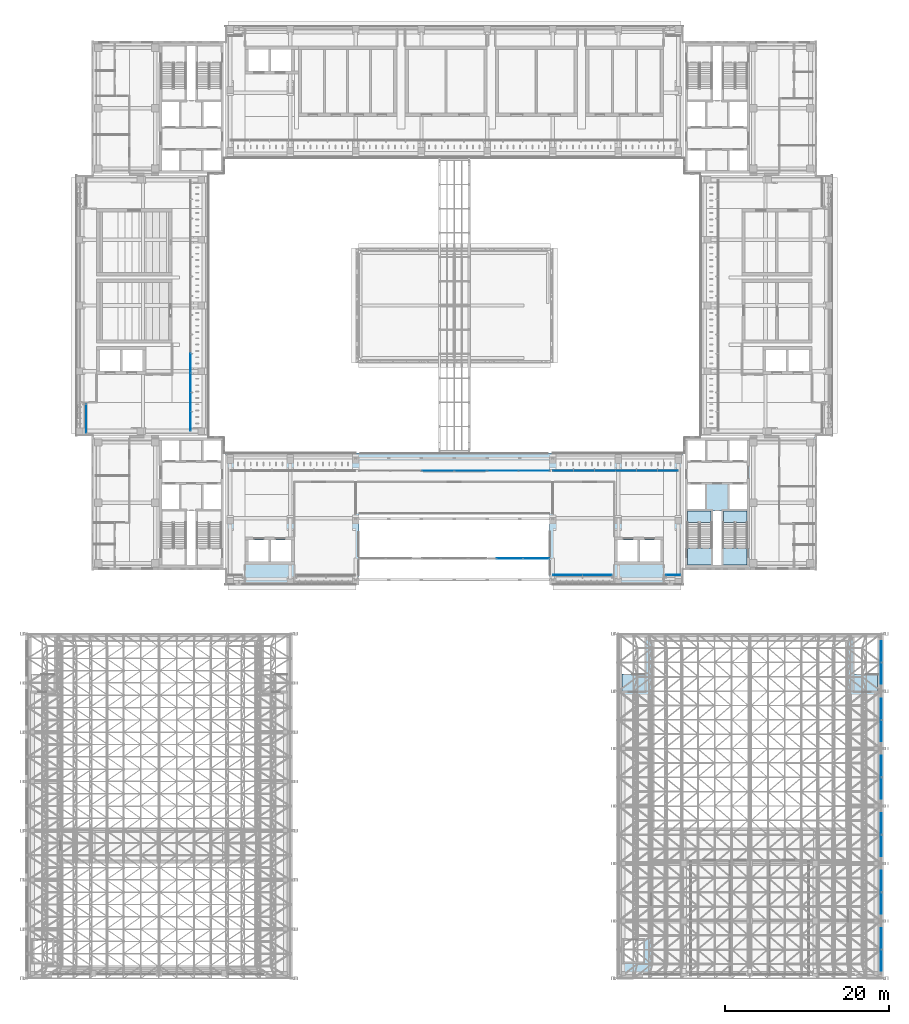
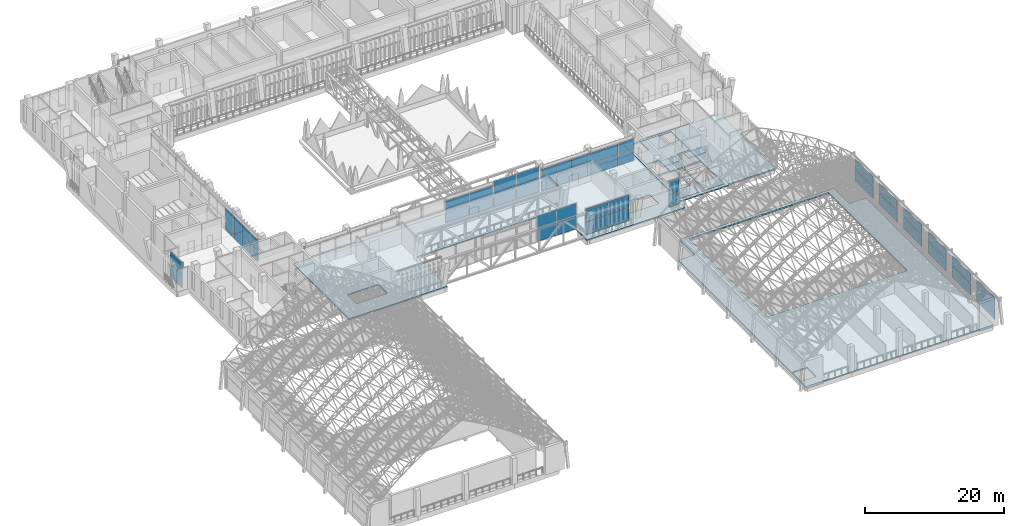
# One storey, part 91 of 141: 52 plates, 6 slabs, 10 elements without a shape of their own.
"""IFC4 building model written with IfcOpenShell, lengths in metres."""

from ifc_helpers import new_model, si_unit, direction, frame, origin, origin_2d, place, context, subcontext, project, spatial, polyline, rectangle, outline, extrude, material, layer, layer_set, type_object, element, aggregate, save


model = new_model("IFC4")

# Units and contexts
model_context = context("Model", 3, precision=1e-05, world=origin(), true_north=direction((0.0, 1.0)))
body_context = subcontext(model_context, "Body", "Model", "MODEL_VIEW")
ifc_project = project(units=[si_unit("LENGTHUNIT", "METRE"), si_unit("AREAUNIT", "SQUARE_METRE"), si_unit("VOLUMEUNIT", "CUBIC_METRE"), si_unit("PLANEANGLEUNIT", "RADIAN"), si_unit("MASSUNIT", "GRAM", prefix="KILO")], contexts=[model_context])

# Site, building, storey
site_placement = place(None, origin())
site = spatial("IfcSite", under=ifc_project, at=site_placement, CompositionType="ELEMENT")
building_placement = place(site_placement, origin())
building = spatial("IfcBuilding", under=site, at=building_placement, Name="Lantern Court Media Centre", CompositionType="ELEMENT")
storey_placement = place(building_placement, frame((0.0, 0.0, 9.60009765625)))
storey = spatial("IfcBuildingStorey", under=building, at=storey_placement, Name="L02", CompositionType="ELEMENT", Elevation=9.60009765625)

# Slab
ifc_material_1 = material(Name="Concrete C40", Category="concrete")
ifc_layer_1 = layer(ifc_material_1, 0.25)
ifc_layer_set_1 = layer_set([ifc_layer_1], Name="Concrete C40")
slab_type_1 = type_object("IfcSlabType", Name="Core floor slab 250", PredefinedType="FLOOR", material=ifc_layer_set_1)
slab_1_placement = place(storey_placement, frame((0.0, 0.0, -0.25)))
element("IfcSlab", 1, at=slab_1_placement, inside=storey, type_object=slab_type_1, Name="L02 SE core floor", PredefinedType="FLOOR", context=body_context, shape_type="SweptSolid", body=[
    extrude(outline(polyline([(87.64990234375, 55.199951171875), (87.64990234375, 54.94970703125), (84.80029296875, 54.94970703125), (84.80029296875, 50.450439453125), (87.64990234375, 50.450439453125), (87.64990234375, 48.35009765625), (84.550048828125, 48.35009765625), (84.550048828125, 54.949951171875), (83.550048828125, 54.949951171875), (83.550048828125, 48.35009765625), (80.449951171875, 48.35009765625), (80.449951171875, 50.450439453125), (83.299560546875, 50.450439453125), (83.299560546875, 54.94970703125), (80.449951171875, 54.94970703125), (80.449951171875, 55.199951171875), (82.550048828125, 55.199951171875), (82.550048828125, 58.199951171875), (80.449951171875, 58.199951171875), (80.449951171875, 61.10009765625), (82.550048828125, 61.10009765625), (82.550048828125, 63.550048828125), (85.550048828125, 63.550048828125), (85.550048828125, 61.10009765625), (87.64990234375, 61.10009765625), (87.64990234375, 58.199951171875), (85.550048828125, 58.199951171875), (85.550048828125, 55.199951171875), (87.64990234375, 55.199951171875)])), origin(), (0.0, 0.0, 1.0), 0.25),
])

# Curtain wall, plates
ifc_material_2 = material(Name="Curtain wall bay 2400")
curtain_wall_type_1 = type_object("IfcCurtainWallType", Name="Curtain wall bay 2400", PredefinedType="NOTDEFINED", material=ifc_material_2)
curtain_wall_1_placement = place(storey_placement, origin())
curtain_wall_1 = element("IfcCurtainWall", 2, at=curtain_wall_1_placement, inside=storey, type_object=curtain_wall_type_1, Name="Curtain wall S inner L02", PredefinedType="NOTDEFINED")
ifc_material_3 = material(Name="Low-iron double glazed unit glass", Category="glass")
ifc_layer_2 = layer(ifc_material_3, 0.02392578125)
ifc_layer_set_2 = layer_set([ifc_layer_2], Name="Low-iron double glazed unit glass")
plate_type_1 = type_object("IfcPlateType", Name="Curtain wall glazing unit 24", PredefinedType="CURTAIN_PANEL", material=ifc_layer_set_2)
plate_1_placement = place(storey_placement, frame((65.28759765625, 59.85009765625, 2.0), z_axis=(0.0, 0.0, 1.0), x_axis=(1.0, 0.0, 0.0)))
plate_1 = element("IfcPlate", 3, at=plate_1_placement, type_object=plate_type_1, Name="CW2 panel 1.2", PredefinedType="CURTAIN_PANEL", context=body_context, shape_type="SweptSolid", body=[
    extrude(rectangle(XDim=2.47509765625, YDim=0.02392578125, at=origin_2d()), origin(), (0.0, 0.0, 1.0), 1.89990234375),
])
plate_2_placement = place(storey_placement, frame((67.824951171875, 59.85009765625, 0.050048828125), z_axis=(0.0, 0.0, 1.0), x_axis=(1.0, 0.0, 0.0)))
plate_2 = element("IfcPlate", 4, at=plate_2_placement, type_object=plate_type_1, Name="CW2 panel 2.1", PredefinedType="CURTAIN_PANEL", context=body_context, shape_type="SweptSolid", body=[
    extrude(rectangle(XDim=2.5, YDim=0.02392578125, at=origin_2d()), origin(), (0.0, 0.0, 1.0), 1.89990234375),
])
plate_3_placement = place(storey_placement, frame((67.824951171875, 59.85009765625, 2.0), z_axis=(0.0, 0.0, 1.0), x_axis=(1.0, 0.0, 0.0)))
plate_3 = element("IfcPlate", 5, at=plate_3_placement, type_object=plate_type_1, Name="CW2 panel 2.2", PredefinedType="CURTAIN_PANEL", context=body_context, shape_type="SweptSolid", body=[
    extrude(rectangle(XDim=2.5, YDim=0.02392578125, at=origin_2d()), origin(), (0.0, 0.0, 1.0), 1.89990234375),
])
plate_4_placement = place(storey_placement, frame((70.375, 59.85009765625, 0.050048828125), z_axis=(0.0, 0.0, 1.0), x_axis=(1.0, 0.0, 0.0)))
plate_4 = element("IfcPlate", 6, at=plate_4_placement, type_object=plate_type_1, Name="CW2 panel 3.1", PredefinedType="CURTAIN_PANEL", context=body_context, shape_type="SweptSolid", body=[
    extrude(rectangle(XDim=2.5, YDim=0.02392578125, at=origin_2d()), origin(), (0.0, 0.0, 1.0), 1.89990234375),
])
plate_5_placement = place(storey_placement, frame((70.375, 59.85009765625, 2.0), z_axis=(0.0, 0.0, 1.0), x_axis=(1.0, 0.0, 0.0)))
plate_5 = element("IfcPlate", 7, at=plate_5_placement, type_object=plate_type_1, Name="CW2 panel 3.2", PredefinedType="CURTAIN_PANEL", context=body_context, shape_type="SweptSolid", body=[
    extrude(rectangle(XDim=2.5, YDim=0.02392578125, at=origin_2d()), origin(), (0.0, 0.0, 1.0), 1.89990234375),
])
plate_6_placement = place(storey_placement, frame((72.925048828125, 59.85009765625, 0.050048828125), z_axis=(0.0, 0.0, 1.0), x_axis=(1.0, 0.0, 0.0)))
plate_6 = element("IfcPlate", 8, at=plate_6_placement, type_object=plate_type_1, Name="CW2 panel 4.1", PredefinedType="CURTAIN_PANEL", context=body_context, shape_type="SweptSolid", body=[
    extrude(rectangle(XDim=2.5, YDim=0.02392578125, at=origin_2d()), origin(), (0.0, 0.0, 1.0), 1.89990234375),
])
plate_7_placement = place(storey_placement, frame((72.925048828125, 59.85009765625, 2.0), z_axis=(0.0, 0.0, 1.0), x_axis=(1.0, 0.0, 0.0)))
plate_7 = element("IfcPlate", 9, at=plate_7_placement, type_object=plate_type_1, Name="CW2 panel 4.2", PredefinedType="CURTAIN_PANEL", context=body_context, shape_type="SweptSolid", body=[
    extrude(rectangle(XDim=2.5, YDim=0.02392578125, at=origin_2d()), origin(), (0.0, 0.0, 1.0), 1.89990234375),
])
plate_8_placement = place(storey_placement, frame((75.47509765625, 59.85009765625, 0.050048828125), z_axis=(0.0, 0.0, 1.0), x_axis=(1.0, 0.0, 0.0)))
plate_8 = element("IfcPlate", 10, at=plate_8_placement, type_object=plate_type_1, Name="CW2 panel 5.1", PredefinedType="CURTAIN_PANEL", context=body_context, shape_type="SweptSolid", body=[
    extrude(rectangle(XDim=2.5, YDim=0.02392578125, at=origin_2d()), origin(), (0.0, 0.0, 1.0), 1.89990234375),
])
plate_9_placement = place(storey_placement, frame((75.47509765625, 59.85009765625, 2.0), z_axis=(0.0, 0.0, 1.0), x_axis=(1.0, 0.0, 0.0)))
plate_9 = element("IfcPlate", 11, at=plate_9_placement, type_object=plate_type_1, Name="CW2 panel 5.2", PredefinedType="CURTAIN_PANEL", context=body_context, shape_type="SweptSolid", body=[
    extrude(rectangle(XDim=2.5, YDim=0.02392578125, at=origin_2d()), origin(), (0.0, 0.0, 1.0), 1.89990234375),
])
plate_10_placement = place(storey_placement, frame((78.012451171875, 59.85009765625, 0.050048828125), z_axis=(0.0, 0.0, 1.0), x_axis=(1.0, 0.0, 0.0)))
plate_10 = element("IfcPlate", 12, at=plate_10_placement, type_object=plate_type_1, Name="CW2 panel 6.1", PredefinedType="CURTAIN_PANEL", context=body_context, shape_type="SweptSolid", body=[
    extrude(rectangle(XDim=2.47509765625, YDim=0.02392578125, at=origin_2d()), origin(), (0.0, 0.0, 1.0), 1.89990234375),
])
plate_11_placement = place(storey_placement, frame((78.012451171875, 59.85009765625, 2.0), z_axis=(0.0, 0.0, 1.0), x_axis=(1.0, 0.0, 0.0)))
plate_11 = element("IfcPlate", 13, at=plate_11_placement, type_object=plate_type_1, Name="CW2 panel 6.2", PredefinedType="CURTAIN_PANEL", context=body_context, shape_type="SweptSolid", body=[
    extrude(rectangle(XDim=2.47509765625, YDim=0.02392578125, at=origin_2d()), origin(), (0.0, 0.0, 1.0), 1.89990234375),
])

curtain_wall_2_placement = place(storey_placement, origin())
curtain_wall_2 = element("IfcCurtainWall", 14, at=curtain_wall_2_placement, inside=storey, type_object=curtain_wall_type_1, Name="Curtain wall W inner L02", PredefinedType="NOTDEFINED")
plate_12_placement = place(storey_placement, frame((19.85009765625, 65.889404296875, 0.050048828125), z_axis=(0.0, 0.0, 1.0), x_axis=(0.0, 1.0, 0.0)))
plate_12 = element("IfcPlate", 15, at=plate_12_placement, type_object=plate_type_1, Name="CW2 panel 1.1", PredefinedType="CURTAIN_PANEL", context=body_context, shape_type="SweptSolid", body=[
    extrude(rectangle(XDim=2.27880859375, YDim=0.02392578125, at=origin_2d()), origin(), (0.0, 0.0, 1.0), 1.89990234375),
])
plate_13_placement = place(storey_placement, frame((19.85009765625, 65.889404296875, 2.0), z_axis=(0.0, 0.0, 1.0), x_axis=(0.0, 1.0, 0.0)))
plate_13 = element("IfcPlate", 16, at=plate_13_placement, type_object=plate_type_1, Name="CW2 panel 1.2", PredefinedType="CURTAIN_PANEL", context=body_context, shape_type="SweptSolid", body=[
    extrude(rectangle(XDim=2.27880859375, YDim=0.02392578125, at=origin_2d()), origin(), (0.0, 0.0, 1.0), 1.89990234375),
])
plate_14_placement = place(storey_placement, frame((19.85009765625, 68.230712890625, 0.050048828125), z_axis=(0.0, 0.0, 1.0), x_axis=(0.0, 1.0, 0.0)))
plate_14 = element("IfcPlate", 17, at=plate_14_placement, type_object=plate_type_1, Name="CW2 panel 2.1", PredefinedType="CURTAIN_PANEL", context=body_context, shape_type="SweptSolid", body=[
    extrude(rectangle(XDim=2.303955078125, YDim=0.02392578125, at=origin_2d()), origin(), (0.0, 0.0, 1.0), 1.89990234375),
])
plate_15_placement = place(storey_placement, frame((19.85009765625, 68.230712890625, 2.0), z_axis=(0.0, 0.0, 1.0), x_axis=(0.0, 1.0, 0.0)))
plate_15 = element("IfcPlate", 18, at=plate_15_placement, type_object=plate_type_1, Name="CW2 panel 2.2", PredefinedType="CURTAIN_PANEL", context=body_context, shape_type="SweptSolid", body=[
    extrude(rectangle(XDim=2.303955078125, YDim=0.02392578125, at=origin_2d()), origin(), (0.0, 0.0, 1.0), 1.89990234375),
])
plate_16_placement = place(storey_placement, frame((19.85009765625, 70.584716796875, 0.050048828125), z_axis=(0.0, 0.0, 1.0), x_axis=(0.0, 1.0, 0.0)))
plate_16 = element("IfcPlate", 19, at=plate_16_placement, type_object=plate_type_1, Name="CW2 panel 3.1", PredefinedType="CURTAIN_PANEL", context=body_context, shape_type="SweptSolid", body=[
    extrude(rectangle(XDim=2.303955078125, YDim=0.02392578125, at=origin_2d()), origin(), (0.0, 0.0, 1.0), 1.89990234375),
])
plate_17_placement = place(storey_placement, frame((19.85009765625, 70.584716796875, 2.0), z_axis=(0.0, 0.0, 1.0), x_axis=(0.0, 1.0, 0.0)))
plate_17 = element("IfcPlate", 20, at=plate_17_placement, type_object=plate_type_1, Name="CW2 panel 3.2", PredefinedType="CURTAIN_PANEL", context=body_context, shape_type="SweptSolid", body=[
    extrude(rectangle(XDim=2.303955078125, YDim=0.02392578125, at=origin_2d()), origin(), (0.0, 0.0, 1.0), 1.89990234375),
])
plate_18_placement = place(storey_placement, frame((19.85009765625, 72.9384765625, 0.050048828125), z_axis=(0.0, 0.0, 1.0), x_axis=(0.0, 1.0, 0.0)))
plate_18 = element("IfcPlate", 21, at=plate_18_placement, type_object=plate_type_1, Name="CW2 panel 4.1", PredefinedType="CURTAIN_PANEL", context=body_context, shape_type="SweptSolid", body=[
    extrude(rectangle(XDim=2.303955078125, YDim=0.02392578125, at=origin_2d()), origin(), (0.0, 0.0, 1.0), 1.89990234375),
])
plate_19_placement = place(storey_placement, frame((19.85009765625, 72.9384765625, 2.0), z_axis=(0.0, 0.0, 1.0), x_axis=(0.0, 1.0, 0.0)))
plate_19 = element("IfcPlate", 22, at=plate_19_placement, type_object=plate_type_1, Name="CW2 panel 4.2", PredefinedType="CURTAIN_PANEL", context=body_context, shape_type="SweptSolid", body=[
    extrude(rectangle(XDim=2.303955078125, YDim=0.02392578125, at=origin_2d()), origin(), (0.0, 0.0, 1.0), 1.89990234375),
])
aggregate(curtain_wall_2, [plate_12, plate_13, plate_14, plate_15, plate_16, plate_17, plate_18, plate_19])

ifc_material_4 = material(Name="Curtain wall bay 3000")
curtain_wall_type_2 = type_object("IfcCurtainWallType", Name="Curtain wall bay 3000", PredefinedType="NOTDEFINED", material=ifc_material_4)
curtain_wall_3_placement = place(storey_placement, origin())
curtain_wall_3 = element("IfcCurtainWall", 23, at=curtain_wall_3_placement, inside=storey, type_object=curtain_wall_type_2, Name="Curtain wall S outer L02", PredefinedType="NOTDEFINED")
ifc_layer_3 = layer(ifc_material_3, 0.028076171875)
ifc_layer_set_3 = layer_set([ifc_layer_3], Name="Low-iron double glazed unit glass")
plate_type_2 = type_object("IfcPlateType", Name="Curtain wall glazing unit 28", PredefinedType="CURTAIN_PANEL", material=ifc_layer_set_3)
plate_20_placement = place(storey_placement, frame((65.827392578125, 47.14990234375, 0.06005859375), z_axis=(0.0, 0.0, 1.0), x_axis=(1.0, 0.0, 0.0)))
plate_20 = element("IfcPlate", 24, at=plate_20_placement, type_object=plate_type_2, Name="CW1 panel 1.1", PredefinedType="CURTAIN_PANEL", context=body_context, shape_type="SweptSolid", body=[
    extrude(rectangle(XDim=3.534912109375, YDim=0.028076171875, at=origin_2d()), origin(), (0.0, 0.0, 1.0), 2.199951171875),
])
plate_21_placement = place(storey_placement, frame((65.827392578125, 47.14990234375, 2.31982421875), z_axis=(0.0, 0.0, 1.0), x_axis=(1.0, 0.0, 0.0)))
plate_21 = element("IfcPlate", 25, at=plate_21_placement, type_object=plate_type_2, Name="CW1 panel 1.2", PredefinedType="CURTAIN_PANEL", context=body_context, shape_type="SweptSolid", body=[
    extrude(rectangle(XDim=3.534912109375, YDim=0.028076171875, at=origin_2d()), origin(), (0.0, 0.0, 1.0), 2.199951171875),
])
plate_22_placement = place(storey_placement, frame((69.422607421875, 47.14990234375, 0.06005859375), z_axis=(0.0, 0.0, 1.0), x_axis=(1.0, 0.0, 0.0)))
plate_22 = element("IfcPlate", 26, at=plate_22_placement, type_object=plate_type_2, Name="CW1 panel 2.1", PredefinedType="CURTAIN_PANEL", context=body_context, shape_type="SweptSolid", body=[
    extrude(rectangle(XDim=3.534912109375, YDim=0.028076171875, at=origin_2d()), origin(), (0.0, 0.0, 1.0), 2.199951171875),
])
plate_23_placement = place(storey_placement, frame((69.422607421875, 47.14990234375, 2.31982421875), z_axis=(0.0, 0.0, 1.0), x_axis=(1.0, 0.0, 0.0)))
plate_23 = element("IfcPlate", 27, at=plate_23_placement, type_object=plate_type_2, Name="CW1 panel 2.2", PredefinedType="CURTAIN_PANEL", context=body_context, shape_type="SweptSolid", body=[
    extrude(rectangle(XDim=3.534912109375, YDim=0.028076171875, at=origin_2d()), origin(), (0.0, 0.0, 1.0), 2.199951171875),
])
aggregate(curtain_wall_3, [plate_20, plate_21, plate_22, plate_23])

curtain_wall_4_placement = place(storey_placement, origin())
curtain_wall_4 = element("IfcCurtainWall", 28, at=curtain_wall_4_placement, inside=storey, type_object=curtain_wall_type_2, Name="Curtain wall S outer L02", PredefinedType="NOTDEFINED")
plate_24_placement = place(storey_placement, frame((78.6650390625, 47.14990234375, 0.06005859375), z_axis=(0.0, 0.0, 1.0), x_axis=(1.0, 0.0, 0.0)))
plate_24 = element("IfcPlate", 29, at=plate_24_placement, type_object=plate_type_2, Name="CW1 panel 1.1", PredefinedType="CURTAIN_PANEL", context=body_context, shape_type="SweptSolid", body=[
    extrude(rectangle(XDim=1.7099609375, YDim=0.028076171875, at=origin_2d()), origin(), (0.0, 0.0, 1.0), 2.199951171875),
])
plate_25_placement = place(storey_placement, frame((78.6650390625, 47.14990234375, 2.31982421875), z_axis=(0.0, 0.0, 1.0), x_axis=(1.0, 0.0, 0.0)))
plate_25 = element("IfcPlate", 30, at=plate_25_placement, type_object=plate_type_2, Name="CW1 panel 1.2", PredefinedType="CURTAIN_PANEL", context=body_context, shape_type="SweptSolid", body=[
    extrude(rectangle(XDim=1.7099609375, YDim=0.028076171875, at=origin_2d()), origin(), (0.0, 0.0, 1.0), 2.199951171875),
])
aggregate(curtain_wall_4, [plate_24, plate_25])

curtain_wall_5_placement = place(storey_placement, origin())
curtain_wall_5 = element("IfcCurtainWall", 31, at=curtain_wall_5_placement, inside=storey, type_object=curtain_wall_type_2, Name="Curtain wall W outer L02", PredefinedType="NOTDEFINED")
plate_26_placement = place(storey_placement, frame((7.14990234375, 66.18505859375, 0.06005859375), z_axis=(0.0, 0.0, 1.0), x_axis=(0.0, 1.0, 0.0)))
plate_26 = element("IfcPlate", 32, at=plate_26_placement, type_object=plate_type_2, Name="CW1 panel 1.1", PredefinedType="CURTAIN_PANEL", context=body_context, shape_type="SweptSolid", body=[
    extrude(rectangle(XDim=3.409912109375, YDim=0.028076171875, at=origin_2d()), origin(), (0.0, 0.0, 1.0), 2.199951171875),
])
plate_27_placement = place(storey_placement, frame((7.14990234375, 66.18505859375, 2.31982421875), z_axis=(0.0, 0.0, 1.0), x_axis=(0.0, 1.0, 0.0)))
plate_27 = element("IfcPlate", 33, at=plate_27_placement, type_object=plate_type_2, Name="CW1 panel 1.2", PredefinedType="CURTAIN_PANEL", context=body_context, shape_type="SweptSolid", body=[
    extrude(rectangle(XDim=3.409912109375, YDim=0.028076171875, at=origin_2d()), origin(), (0.0, 0.0, 1.0), 2.199951171875),
])
aggregate(curtain_wall_5, [plate_26, plate_27])

ifc_material_5 = material(Name="Curtain wall bay 4000")
curtain_wall_type_3 = type_object("IfcCurtainWallType", Name="Curtain wall bay 4000", PredefinedType="NOTDEFINED", material=ifc_material_5)
curtain_wall_6_placement = place(storey_placement, origin())
curtain_wall_6 = element("IfcCurtainWall", 34, at=curtain_wall_6_placement, inside=storey, type_object=curtain_wall_type_3, Name="Curtain wall S outer L02", PredefinedType="NOTDEFINED")
ifc_material_6 = material(Name="Laminated low-iron glass", Category="glass")
ifc_layer_4 = layer(ifc_material_6, 0.0400390625)
ifc_layer_set_4 = layer_set([ifc_layer_4], Name="Laminated low-iron glass")
plate_type_3 = type_object("IfcPlateType", Name="Curtain wall glazing unit 40", PredefinedType="CURTAIN_PANEL", material=ifc_layer_set_4)
plate_28_placement = place(storey_placement, frame((58.757568359375, 49.14990234375, 0.079833984375), z_axis=(0.0, 0.0, 1.0), x_axis=(1.0, 0.0, 0.0)))
plate_28 = element("IfcPlate", 35, at=plate_28_placement, type_object=plate_type_3, Name="CW3 panel 1.1", PredefinedType="CURTAIN_PANEL", context=body_context, shape_type="SweptSolid", body=[
    extrude(rectangle(XDim=3.155029296875, YDim=0.0400390625, at=origin_2d()), origin(), (0.0, 0.0, 1.0), 2.169921875),
])
plate_29_placement = place(storey_placement, frame((58.757568359375, 49.14990234375, 2.329833984375), z_axis=(0.0, 0.0, 1.0), x_axis=(1.0, 0.0, 0.0)))
plate_29 = element("IfcPlate", 36, at=plate_29_placement, type_object=plate_type_3, Name="CW3 panel 1.2", PredefinedType="CURTAIN_PANEL", context=body_context, shape_type="SweptSolid", body=[
    extrude(rectangle(XDim=3.155029296875, YDim=0.0400390625, at=origin_2d()), origin(), (0.0, 0.0, 1.0), 2.169921875),
])
plate_30_placement = place(storey_placement, frame((61.992431640625, 49.14990234375, 0.079833984375), z_axis=(0.0, 0.0, 1.0), x_axis=(1.0, 0.0, 0.0)))
plate_30 = element("IfcPlate", 37, at=plate_30_placement, type_object=plate_type_3, Name="CW3 panel 2.1", PredefinedType="CURTAIN_PANEL", context=body_context, shape_type="SweptSolid", body=[
    extrude(rectangle(XDim=3.155029296875, YDim=0.0400390625, at=origin_2d()), origin(), (0.0, 0.0, 1.0), 2.169921875),
])
plate_31_placement = place(storey_placement, frame((61.992431640625, 49.14990234375, 2.329833984375), z_axis=(0.0, 0.0, 1.0), x_axis=(1.0, 0.0, 0.0)))
plate_31 = element("IfcPlate", 38, at=plate_31_placement, type_object=plate_type_3, Name="CW3 panel 2.2", PredefinedType="CURTAIN_PANEL", context=body_context, shape_type="SweptSolid", body=[
    extrude(rectangle(XDim=3.155029296875, YDim=0.0400390625, at=origin_2d()), origin(), (0.0, 0.0, 1.0), 2.169921875),
])
aggregate(curtain_wall_6, [plate_28, plate_29, plate_30, plate_31])

# Plate
ifc_material_7 = material(Name="Insulated aluminium spandrel panel", Category="aluminium")
ifc_layer_5 = layer(ifc_material_7, 0.02392578125)
ifc_layer_set_5 = layer_set([ifc_layer_5], Name="Insulated aluminium spandrel panel")
plate_type_4 = type_object("IfcPlateType", Name="Curtain wall spandrel panel 24", PredefinedType="CURTAIN_PANEL", material=ifc_layer_set_5)
plate_32_placement = place(storey_placement, frame((65.28759765625, 59.85009765625, 0.050048828125), z_axis=(0.0, 0.0, 1.0), x_axis=(1.0, 0.0, 0.0)))
plate_32 = element("IfcPlate", 39, at=plate_32_placement, type_object=plate_type_4, Name="CW2 panel 1.1", PredefinedType="CURTAIN_PANEL", context=body_context, shape_type="SweptSolid", body=[
    extrude(rectangle(XDim=2.47509765625, YDim=0.02392578125, at=origin_2d()), origin(), (0.0, 0.0, 1.0), 1.89990234375),
])

aggregate(curtain_wall_1, [plate_32, plate_1, plate_2, plate_3, plate_4, plate_5, plate_6, plate_7, plate_8, plate_9, plate_10, plate_11])

# Curtain wall, plates
curtain_wall_7_placement = place(storey_placement, origin())
curtain_wall_7 = element("IfcCurtainWall", 40, at=curtain_wall_7_placement, inside=storey, type_object=curtain_wall_type_3, Name="Curtain wall S inner L02", PredefinedType="NOTDEFINED")
plate_33_placement = place(storey_placement, frame((50.02001953125, 59.85009765625, 0.079833984375), z_axis=(0.0, 0.0, 1.0), x_axis=(1.0, 0.0, 0.0)))
plate_33 = element("IfcPlate", 41, at=plate_33_placement, type_object=plate_type_4, Name="CW3 panel 1.1", PredefinedType="CURTAIN_PANEL", context=body_context, shape_type="SweptSolid", body=[
    extrude(rectangle(XDim=3.8798828125, YDim=0.0400390625, at=origin_2d()), origin(), (0.0, 0.0, 1.0), 1.85498046875),
])
plate_34_placement = place(storey_placement, frame((50.02001953125, 59.85009765625, 2.014892578125), z_axis=(0.0, 0.0, 1.0), x_axis=(1.0, 0.0, 0.0)))
plate_34 = element("IfcPlate", 42, at=plate_34_placement, type_object=plate_type_4, Name="CW3 panel 1.2", PredefinedType="CURTAIN_PANEL", context=body_context, shape_type="SweptSolid", body=[
    extrude(rectangle(XDim=3.8798828125, YDim=0.0400390625, at=origin_2d()), origin(), (0.0, 0.0, 1.0), 1.85498046875),
])
plate_35_placement = place(storey_placement, frame((53.97998046875, 59.85009765625, 0.079833984375), z_axis=(0.0, 0.0, 1.0), x_axis=(1.0, 0.0, 0.0)))
plate_35 = element("IfcPlate", 43, at=plate_35_placement, type_object=plate_type_4, Name="CW3 panel 2.1", PredefinedType="CURTAIN_PANEL", context=body_context, shape_type="SweptSolid", body=[
    extrude(rectangle(XDim=3.8798828125, YDim=0.0400390625, at=origin_2d()), origin(), (0.0, 0.0, 1.0), 1.85498046875),
])
plate_36_placement = place(storey_placement, frame((53.97998046875, 59.85009765625, 2.014892578125), z_axis=(0.0, 0.0, 1.0), x_axis=(1.0, 0.0, 0.0)))
plate_36 = element("IfcPlate", 44, at=plate_36_placement, type_object=plate_type_4, Name="CW3 panel 2.2", PredefinedType="CURTAIN_PANEL", context=body_context, shape_type="SweptSolid", body=[
    extrude(rectangle(XDim=3.8798828125, YDim=0.0400390625, at=origin_2d()), origin(), (0.0, 0.0, 1.0), 1.85498046875),
])
aggregate(curtain_wall_7, [plate_33, plate_34, plate_35, plate_36])

curtain_wall_8_placement = place(storey_placement, origin())
curtain_wall_8 = element("IfcCurtainWall", 45, at=curtain_wall_8_placement, inside=storey, type_object=curtain_wall_type_3, Name="Curtain wall S inner L02", PredefinedType="NOTDEFINED")
plate_37_placement = place(storey_placement, frame((57.9326171875, 59.85009765625, 0.079833984375), z_axis=(0.0, 0.0, 1.0), x_axis=(1.0, 0.0, 0.0)))
plate_37 = element("IfcPlate", 46, at=plate_37_placement, type_object=plate_type_4, Name="CW3 panel 1.1", PredefinedType="CURTAIN_PANEL", context=body_context, shape_type="SweptSolid", body=[
    extrude(rectangle(XDim=3.705078125, YDim=0.0400390625, at=origin_2d()), origin(), (0.0, 0.0, 1.0), 2.169921875),
])
plate_38_placement = place(storey_placement, frame((57.9326171875, 59.85009765625, 2.329833984375), z_axis=(0.0, 0.0, 1.0), x_axis=(1.0, 0.0, 0.0)))
plate_38 = element("IfcPlate", 47, at=plate_38_placement, type_object=plate_type_4, Name="CW3 panel 1.2", PredefinedType="CURTAIN_PANEL", context=body_context, shape_type="SweptSolid", body=[
    extrude(rectangle(XDim=3.705078125, YDim=0.0400390625, at=origin_2d()), origin(), (0.0, 0.0, 1.0), 2.169921875),
])
plate_39_placement = place(storey_placement, frame((61.717529296875, 59.85009765625, 0.079833984375), z_axis=(0.0, 0.0, 1.0), x_axis=(1.0, 0.0, 0.0)))
plate_39 = element("IfcPlate", 48, at=plate_39_placement, type_object=plate_type_4, Name="CW3 panel 2.1", PredefinedType="CURTAIN_PANEL", context=body_context, shape_type="SweptSolid", body=[
    extrude(rectangle(XDim=3.705078125, YDim=0.0400390625, at=origin_2d()), origin(), (0.0, 0.0, 1.0), 2.169921875),
])
plate_40_placement = place(storey_placement, frame((61.717529296875, 59.85009765625, 2.329833984375), z_axis=(0.0, 0.0, 1.0), x_axis=(1.0, 0.0, 0.0)))
plate_40 = element("IfcPlate", 49, at=plate_40_placement, type_object=plate_type_4, Name="CW3 panel 2.2", PredefinedType="CURTAIN_PANEL", context=body_context, shape_type="SweptSolid", body=[
    extrude(rectangle(XDim=3.705078125, YDim=0.0400390625, at=origin_2d()), origin(), (0.0, 0.0, 1.0), 2.169921875),
])
aggregate(curtain_wall_8, [plate_37, plate_38, plate_39, plate_40])

# Slabs
ifc_material_8 = material(Name="Concrete C35", Category="concrete")
ifc_layer_6 = layer(ifc_material_8, 0.199951171875)
ifc_layer_set_6 = layer_set([ifc_layer_6], Name="Concrete C35")
slab_type_2 = type_object("IfcSlabType", Name="RC FLOOR SLAB 200", PredefinedType="FLOOR", material=ifc_layer_set_6)
slab_2_placement = place(storey_placement, frame((0.0, 0.0, -0.2001953125)))
element("IfcSlab", 50, at=slab_2_placement, inside=storey, type_object=slab_type_2, Name="SL-SE-L02", PredefinedType="FLOOR", context=body_context, shape_type="SweptSolid", body=[
    extrude(outline(polyline([(80.10009765625, 63.89990234375), (96.0, 63.89990234375), (96.0, 48.0), (88.10009765625, 48.0), (88.10009765625, 47.780029296875), (80.10009765625, 47.780029296875), (80.10009765625, 48.0), (80.10009765625, 63.89990234375)]), holes=[polyline([(80.449951171875, 63.550048828125), (80.449951171875, 48.35009765625), (87.64990234375, 48.35009765625), (87.64990234375, 63.550048828125), (80.449951171875, 63.550048828125)])]), origin(), (0.0, 0.0, 1.0), 0.2001953125),
])
ifc_layer_7 = layer(ifc_material_8, 0.219970703125)
ifc_layer_set_7 = layer_set([ifc_layer_7], Name="Concrete C35")
slab_type_3 = type_object("IfcSlabType", Name="RC FLOOR SLAB 220", PredefinedType="FLOOR", material=ifc_layer_set_7)
slab_3_placement = place(storey_placement, frame((0.0, 0.0, -0.22021484375)))
element("IfcSlab", 51, at=slab_3_placement, inside=storey, type_object=slab_type_3, Name="SL-S-L02", PredefinedType="FLOOR", context=body_context, shape_type="SweptSolid", body=[
    extrude(outline(polyline([(24.10009765625, 46.0), (24.10009765625, 62.0), (79.89990234375, 62.0), (79.89990234375, 46.0), (63.60009765625, 46.0), (63.60009765625, 54.60009765625), (40.39990234375, 54.60009765625), (40.39990234375, 46.0), (24.10009765625, 46.0)]), holes=[polyline([(26.89990234375, 48.800048828125), (32.10009765625, 48.800048828125), (32.10009765625, 51.39990234375), (26.89990234375, 51.39990234375), (26.89990234375, 48.800048828125)]), polyline([(71.89990234375, 48.800048828125), (77.10009765625, 48.800048828125), (77.10009765625, 51.39990234375), (71.89990234375, 51.39990234375), (71.89990234375, 48.800048828125)])]), origin(), (0.0, 0.0, 1.0), 0.22021484375),
])
ifc_layer_8 = layer(ifc_material_8, 0.25)
ifc_layer_set_8 = layer_set([ifc_layer_8], Name="Concrete C35")
slab_type_4 = type_object("IfcSlabType", Name="RC FLOOR SLAB 250", PredefinedType="FLOOR", material=ifc_layer_set_8)
slab_4_placement = place(storey_placement, frame((0.0, 0.0, -0.25)))
element("IfcSlab", 52, at=slab_4_placement, inside=storey, type_object=slab_type_4, Name="SL-V2-L02", PredefinedType="FLOOR", context=body_context, shape_type="SweptSolid", body=[
    extrude(outline(polyline([(72.449951171875, 35.100341796875), (75.19970703125, 35.100341796875), (75.19970703125, 39.550048828125), (100.80029296875, 39.550048828125), (100.80029296875, 35.100341796875), (103.550048828125, 35.100341796875), (103.550048828125, -1.550048828125), (72.449951171875, -1.550048828125), (72.449951171875, 35.100341796875)]), holes=[polyline([(76.39990234375, 39.0), (76.39990234375, 16.39990234375), (99.60009765625, 16.39990234375), (99.60009765625, 39.0), (76.39990234375, 39.0)]), polyline([(72.60009765625, 0.0), (75.0, 0.0), (75.0, 2.60009765625), (72.60009765625, 2.60009765625), (72.60009765625, 0.0)])]), origin(), (0.0, 0.0, 1.0), 0.25),
])

# Stair, slab
stair_type = type_object("IfcStairType", Name="Exit stair 1350", PredefinedType="HALF_TURN_STAIR", material=ifc_material_1)
stair_1_placement = place(storey_placement, origin())
stair_1 = element("IfcStair", 53, at=stair_1_placement, inside=storey, type_object=stair_type, Name="L02 SE exit stair A", PredefinedType="HALF_TURN_STAIR")
ifc_layer_9 = layer(ifc_material_1, 0.199951171875)
ifc_layer_set_9 = layer_set([ifc_layer_9], Name="Concrete C40")
slab_type_5 = type_object("IfcSlabType", Name="Stair landing RC 200", PredefinedType="LANDING", material=ifc_layer_set_9)
slab_5_placement = place(storey_placement, frame((0.0, 0.0, 2.199951171875)))
slab_5 = element("IfcSlab", 54, at=slab_5_placement, type_object=slab_type_5, Name="ST-SEA landing 1", PredefinedType="LANDING", context=body_context, shape_type="SweptSolid", body=[
    extrude(outline(polyline([(87.64990234375, 53.570068359375), (87.64990234375, 54.949951171875), (84.800048828125, 54.949951171875), (84.800048828125, 53.570068359375), (87.64990234375, 53.570068359375)])), origin(), (0.0, 0.0, 1.0), 0.199951171875),
])
aggregate(stair_1, [slab_5])

stair_2_placement = place(storey_placement, origin())
stair_2 = element("IfcStair", 55, at=stair_2_placement, inside=storey, type_object=stair_type, Name="L02 SE exit stair B", PredefinedType="HALF_TURN_STAIR")
slab_6_placement = place(storey_placement, frame((0.0, 0.0, 2.199951171875)))
slab_6 = element("IfcSlab", 56, at=slab_6_placement, type_object=slab_type_5, Name="ST-SEB landing 1", PredefinedType="LANDING", context=body_context, shape_type="SweptSolid", body=[
    extrude(outline(polyline([(83.300048828125, 53.570068359375), (83.300048828125, 54.949951171875), (80.449951171875, 54.949951171875), (80.449951171875, 53.570068359375), (83.300048828125, 53.570068359375)])), origin(), (0.0, 0.0, 1.0), 0.199951171875),
])
aggregate(stair_2, [slab_6])

# Plates
ifc_material_9 = material(Name="Limestone cladding", Category="masonry")
ifc_layer_10 = layer(ifc_material_9, 0.080078125)
ifc_layer_set_10 = layer_set([ifc_layer_10], Name="Limestone cladding")
plate_type_5 = type_object("IfcPlateType", Name="Stone relief panel", PredefinedType="SHEET", material=ifc_layer_set_10)
plate_41_placement = place(storey_placement, frame((104.0400390625, 1.5, 0.5), z_axis=(0.0, 0.0, 1.0), x_axis=(1.0, 0.0, 0.0)))
element("IfcPlate", 57, at=plate_41_placement, inside=storey, type_object=plate_type_5, Name="Studio Hall street face relief panel", PredefinedType="SHEET", context=body_context, shape_type="SweptSolid", body=[
    extrude(rectangle(XDim=0.080078125, YDim=5.199951171875, at=origin_2d()), origin(), (0.0, 0.0, 1.0), 2.0),
])
plate_42_placement = place(storey_placement, frame((104.0400390625, 1.5, 2.699951171875), z_axis=(0.0, 0.0, 1.0), x_axis=(1.0, 0.0, 0.0)))
element("IfcPlate", 58, at=plate_42_placement, inside=storey, type_object=plate_type_5, Name="Studio Hall street face relief panel", PredefinedType="SHEET", context=body_context, shape_type="SweptSolid", body=[
    extrude(rectangle(XDim=0.080078125, YDim=5.199951171875, at=origin_2d()), origin(), (0.0, 0.0, 1.0), 1.60009765625),
])
plate_43_placement = place(storey_placement, frame((104.0400390625, 8.5, 0.5), z_axis=(0.0, 0.0, 1.0), x_axis=(1.0, 0.0, 0.0)))
element("IfcPlate", 59, at=plate_43_placement, inside=storey, type_object=plate_type_5, Name="Studio Hall street face relief panel", PredefinedType="SHEET", context=body_context, shape_type="SweptSolid", body=[
    extrude(rectangle(XDim=0.080078125, YDim=5.199951171875, at=origin_2d()), origin(), (0.0, 0.0, 1.0), 2.0),
])
plate_44_placement = place(storey_placement, frame((104.0400390625, 8.5, 2.699951171875), z_axis=(0.0, 0.0, 1.0), x_axis=(1.0, 0.0, 0.0)))
element("IfcPlate", 60, at=plate_44_placement, inside=storey, type_object=plate_type_5, Name="Studio Hall street face relief panel", PredefinedType="SHEET", context=body_context, shape_type="SweptSolid", body=[
    extrude(rectangle(XDim=0.080078125, YDim=5.199951171875, at=origin_2d()), origin(), (0.0, 0.0, 1.0), 1.60009765625),
])
plate_45_placement = place(storey_placement, frame((104.0400390625, 15.5, 0.5), z_axis=(0.0, 0.0, 1.0), x_axis=(1.0, 0.0, 0.0)))
element("IfcPlate", 61, at=plate_45_placement, inside=storey, type_object=plate_type_5, Name="Studio Hall street face relief panel", PredefinedType="SHEET", context=body_context, shape_type="SweptSolid", body=[
    extrude(rectangle(XDim=0.080078125, YDim=5.199951171875, at=origin_2d()), origin(), (0.0, 0.0, 1.0), 2.0),
])
plate_46_placement = place(storey_placement, frame((104.0400390625, 15.5, 2.699951171875), z_axis=(0.0, 0.0, 1.0), x_axis=(1.0, 0.0, 0.0)))
element("IfcPlate", 62, at=plate_46_placement, inside=storey, type_object=plate_type_5, Name="Studio Hall street face relief panel", PredefinedType="SHEET", context=body_context, shape_type="SweptSolid", body=[
    extrude(rectangle(XDim=0.080078125, YDim=5.199951171875, at=origin_2d()), origin(), (0.0, 0.0, 1.0), 1.60009765625),
])
plate_47_placement = place(storey_placement, frame((104.0400390625, 22.5, 0.5), z_axis=(0.0, 0.0, 1.0), x_axis=(1.0, 0.0, 0.0)))
element("IfcPlate", 63, at=plate_47_placement, inside=storey, type_object=plate_type_5, Name="Studio Hall street face relief panel", PredefinedType="SHEET", context=body_context, shape_type="SweptSolid", body=[
    extrude(rectangle(XDim=0.080078125, YDim=5.199951171875, at=origin_2d()), origin(), (0.0, 0.0, 1.0), 2.0),
])
plate_48_placement = place(storey_placement, frame((104.0400390625, 22.5, 2.699951171875), z_axis=(0.0, 0.0, 1.0), x_axis=(1.0, 0.0, 0.0)))
element("IfcPlate", 64, at=plate_48_placement, inside=storey, type_object=plate_type_5, Name="Studio Hall street face relief panel", PredefinedType="SHEET", context=body_context, shape_type="SweptSolid", body=[
    extrude(rectangle(XDim=0.080078125, YDim=5.199951171875, at=origin_2d()), origin(), (0.0, 0.0, 1.0), 1.60009765625),
])
plate_49_placement = place(storey_placement, frame((104.0400390625, 29.5, 0.5), z_axis=(0.0, 0.0, 1.0), x_axis=(1.0, 0.0, 0.0)))
element("IfcPlate", 65, at=plate_49_placement, inside=storey, type_object=plate_type_5, Name="Studio Hall street face relief panel", PredefinedType="SHEET", context=body_context, shape_type="SweptSolid", body=[
    extrude(rectangle(XDim=0.080078125, YDim=5.199951171875, at=origin_2d()), origin(), (0.0, 0.0, 1.0), 2.0),
])
plate_50_placement = place(storey_placement, frame((104.0400390625, 29.5, 2.699951171875), z_axis=(0.0, 0.0, 1.0), x_axis=(1.0, 0.0, 0.0)))
element("IfcPlate", 66, at=plate_50_placement, inside=storey, type_object=plate_type_5, Name="Studio Hall street face relief panel", PredefinedType="SHEET", context=body_context, shape_type="SweptSolid", body=[
    extrude(rectangle(XDim=0.080078125, YDim=5.199951171875, at=origin_2d()), origin(), (0.0, 0.0, 1.0), 1.60009765625),
])
plate_51_placement = place(storey_placement, frame((104.0400390625, 36.5, 0.5), z_axis=(0.0, 0.0, 1.0), x_axis=(1.0, 0.0, 0.0)))
element("IfcPlate", 67, at=plate_51_placement, inside=storey, type_object=plate_type_5, Name="Studio Hall street face relief panel", PredefinedType="SHEET", context=body_context, shape_type="SweptSolid", body=[
    extrude(rectangle(XDim=0.080078125, YDim=5.199951171875, at=origin_2d()), origin(), (0.0, 0.0, 1.0), 2.0),
])
plate_52_placement = place(storey_placement, frame((104.0400390625, 36.5, 2.699951171875), z_axis=(0.0, 0.0, 1.0), x_axis=(1.0, 0.0, 0.0)))
element("IfcPlate", 68, at=plate_52_placement, inside=storey, type_object=plate_type_5, Name="Studio Hall street face relief panel", PredefinedType="SHEET", context=body_context, shape_type="SweptSolid", body=[
    extrude(rectangle(XDim=0.080078125, YDim=5.199951171875, at=origin_2d()), origin(), (0.0, 0.0, 1.0), 1.60009765625),
])

save(model, "model.ifc")
